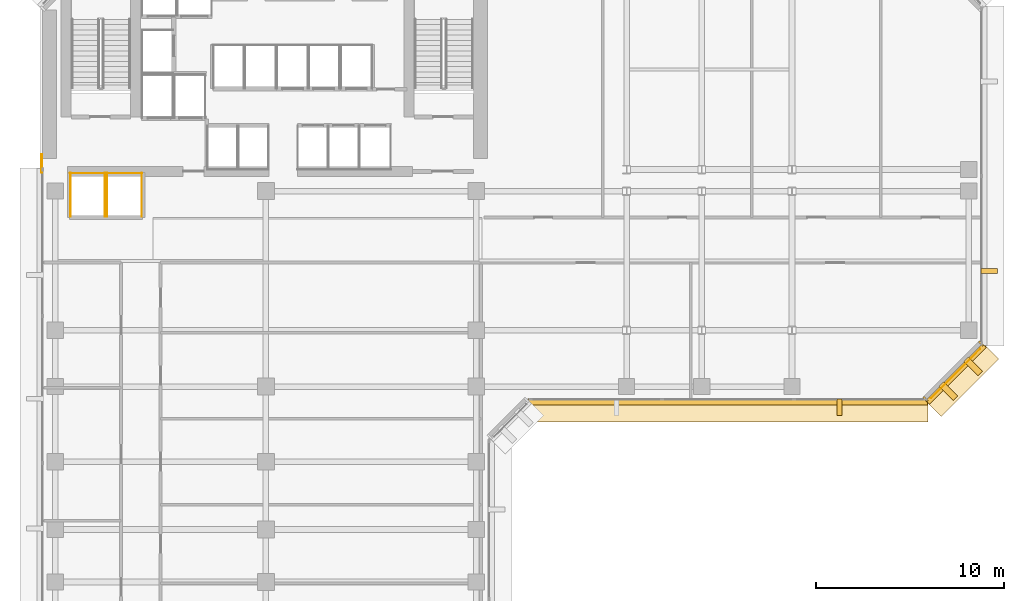
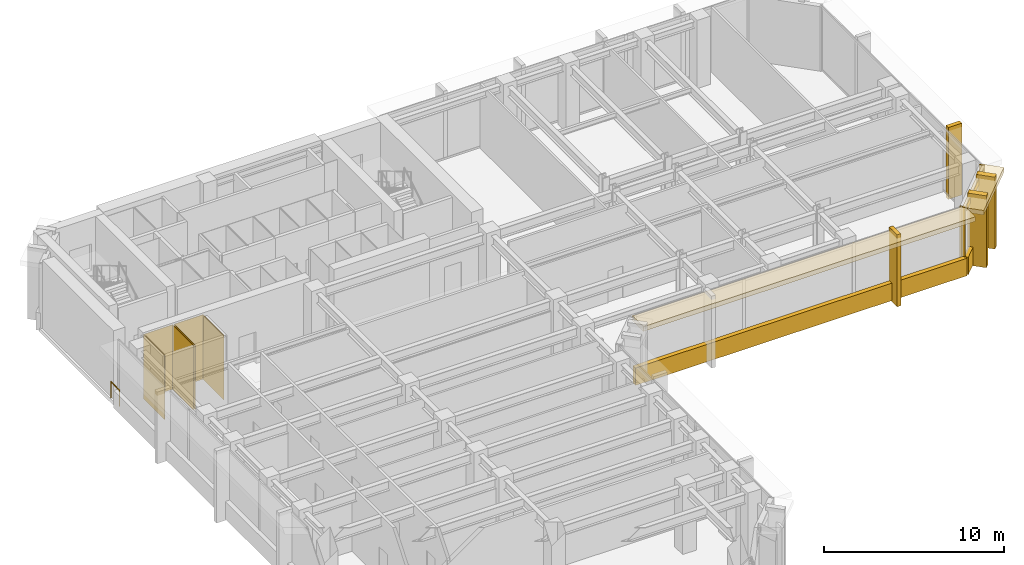
# One storey, part 10 of 13: 17 coverings, 1 railing.
"""IFC4 building model written with IfcOpenShell, lengths in metres."""

from ifc_helpers import new_model, si_unit, direction, frame, origin, origin_2d, place, context, subcontext, project, spatial, polyline, rectangle, circle, outline, extrude, material, layer, layer_set, type_object, element, save


model = new_model("IFC4")

# Units and contexts
model_context = context("Model", 3, precision=1e-05, world=origin(), true_north=direction((0.0, 1.0)))
body_context = subcontext(model_context, "Body", "Model", "MODEL_VIEW")
ifc_project = project(units=[si_unit("LENGTHUNIT", "METRE"), si_unit("AREAUNIT", "SQUARE_METRE"), si_unit("VOLUMEUNIT", "CUBIC_METRE"), si_unit("PLANEANGLEUNIT", "RADIAN"), si_unit("MASSUNIT", "GRAM", prefix="KILO")], contexts=[model_context])

# Site, building, storey
site_placement = place(None, origin())
site = spatial("IfcSite", under=ifc_project, at=site_placement, CompositionType="ELEMENT")
building_placement = place(site_placement, origin())
building = spatial("IfcBuilding", under=site, at=building_placement, Name="Kefirva Bronze Tower", CompositionType="ELEMENT")
storey_placement = place(building_placement, frame((0.0, 0.0, 130.35009765625)))
storey = spatial("IfcBuildingStorey", under=building, at=storey_placement, Name="L31", CompositionType="ELEMENT", Elevation=130.35009765625)

# Coverings
ifc_material_1 = material(Name="Bronze anodised aluminium", Category="aluminium")
ifc_layer_1 = layer(ifc_material_1, 0.02001953125, Name="Bronze anodised aluminium")
ifc_layer_set_1 = layer_set([ifc_layer_1], Name="Bronze anodised aluminium")
covering_type_1 = type_object("IfcCoveringType", Name="Anodised Bronze Spandrel Cladding 20mm", PredefinedType="CLADDING", material=ifc_layer_set_1)
covering_1_placement = place(storey_placement, frame((36.60009765625, 21.9599609375, -0.16015625), z_axis=(0.0, 0.0, 1.0), x_axis=(1.0, 0.0, 0.0)))
element("IfcCovering", 1, at=covering_1_placement, inside=storey, type_object=covering_type_1, Name="L31 Streamline Horizontal Spandrel Band 8", PredefinedType="CLADDING", context=body_context, shape_type="SweptSolid", body=[
    extrude(rectangle(XDim=21.239990234375, YDim=0.280029296875, at=origin_2d()), origin(), (0.0, 0.0, 1.0), 1.179931640625),
])
covering_2_placement = place(storey_placement, frame((48.70703125, 23.492919921875, 3.949951171875), z_axis=(0.0, 0.0, 1.0), x_axis=(0.707106781187, 0.707106781187, 0.0)))
element("IfcCovering", 2, at=covering_2_placement, inside=storey, type_object=covering_type_1, Name="L31 Bronze Spandrel Cladding 6", PredefinedType="CLADDING", context=body_context, shape_type="SweptSolid", body=[
    extrude(rectangle(XDim=3.719482421875, YDim=0.02001953125, at=origin_2d()), origin(), (0.0, 0.0, 1.0), 0.39990234375),
])
for number, where, z_axis, x_axis, name in (
    (3, (47.11181640625, 22.137939453125, -0.000244140625), (0.0, 0.0, 1.0), (0.707106781187, 0.707106781187, 0.0), "L31 Facade Joint Closure Panel 6S"),
    (4, (50.06201171875, 25.08837890625, -0.000244140625), (0.0, 0.0, 1.0), (0.707106781187, 0.707106781187, 0.0), "L31 Facade Joint Closure Panel 6E"),
):
    element("IfcCovering", number, at=place(storey_placement, frame(where, z_axis=z_axis, x_axis=x_axis)), inside=storey, type_object=covering_type_1, Name=name, PredefinedType="CLADDING", context=body_context, shape_type="SweptSolid", body=[
        extrude(rectangle(XDim=0.10009765625, YDim=0.320068359375, at=origin_2d()), origin(), (0.0, 0.0, 1.0), 4.3701171875),
    ])
covering_3_placement = place(storey_placement, frame((48.728271484375, 23.4716796875, -0.16015625), z_axis=(0.0, 0.0, 1.0), x_axis=(0.707106781187, 0.707106781187, 0.0)))
element("IfcCovering", 5, at=covering_3_placement, inside=storey, type_object=covering_type_1, Name="L31 Streamline Horizontal Spandrel Band 9", PredefinedType="CLADDING", context=body_context, shape_type="SweptSolid", body=[
    extrude(rectangle(XDim=4.28271484375, YDim=0.280029296875, at=origin_2d()), origin(), (0.0, 0.0, 1.0), 1.179931640625),
])
covering_4_placement = place(storey_placement, origin())
element("IfcCovering", 6, at=covering_4_placement, inside=storey, type_object=covering_type_1, Name="L31 Lift OB1 Hoistway Liner N", PredefinedType="CLADDING", context=body_context, shape_type="SweptSolid", body=[
    extrude(outline(polyline([(1.580078125, 34.139892578125), (3.469970703125, 34.139892578125), (3.469970703125, 34.159912109375), (1.580078125, 34.159912109375), (1.580078125, 34.139892578125)])), origin(), (0.0, 0.0, 1.0), 4.369873046875),
])
covering_5_placement = place(storey_placement, origin())
element("IfcCovering", 7, at=covering_5_placement, inside=storey, type_object=covering_type_1, Name="L31 Lift OB1 Hoistway Liner W", PredefinedType="CLADDING", context=body_context, shape_type="SweptSolid", body=[
    extrude(outline(polyline([(1.590087890625, 31.830078125), (1.610107421875, 31.830078125), (1.610107421875, 34.169921875), (1.590087890625, 34.169921875), (1.590087890625, 31.830078125)])), origin(), (0.0, 0.0, 1.0), 4.369873046875),
])
covering_6_placement = place(storey_placement, origin())
element("IfcCovering", 8, at=covering_6_placement, inside=storey, type_object=covering_type_1, Name="L31 Lift OB1 Hoistway Liner E", PredefinedType="CLADDING", context=body_context, shape_type="SweptSolid", body=[
    extrude(outline(polyline([(3.43994140625, 31.830078125), (3.4599609375, 31.830078125), (3.4599609375, 34.169921875), (3.43994140625, 34.169921875), (3.43994140625, 31.830078125)])), origin(), (0.0, 0.0, 1.0), 4.369873046875),
])
covering_7_placement = place(storey_placement, origin())
element("IfcCovering", 9, at=covering_7_placement, inside=storey, type_object=covering_type_1, Name="L31 Lift OB2 Hoistway Liner N", PredefinedType="CLADDING", context=body_context, shape_type="SweptSolid", body=[
    extrude(outline(polyline([(3.530029296875, 34.139892578125), (5.419921875, 34.139892578125), (5.419921875, 34.159912109375), (3.530029296875, 34.159912109375), (3.530029296875, 34.139892578125)])), origin(), (0.0, 0.0, 1.0), 4.369873046875),
])
covering_8_placement = place(storey_placement, origin())
element("IfcCovering", 10, at=covering_8_placement, inside=storey, type_object=covering_type_1, Name="L31 Lift OB2 Hoistway Liner W", PredefinedType="CLADDING", context=body_context, shape_type="SweptSolid", body=[
    extrude(outline(polyline([(3.5400390625, 31.830078125), (3.56005859375, 31.830078125), (3.56005859375, 34.169921875), (3.5400390625, 34.169921875), (3.5400390625, 31.830078125)])), origin(), (0.0, 0.0, 1.0), 4.369873046875),
])
covering_9_placement = place(storey_placement, origin())
element("IfcCovering", 11, at=covering_9_placement, inside=storey, type_object=covering_type_1, Name="L31 Lift OB2 Hoistway Liner E", PredefinedType="CLADDING", context=body_context, shape_type="SweptSolid", body=[
    extrude(outline(polyline([(5.389892578125, 31.830078125), (5.409912109375, 31.830078125), (5.409912109375, 34.169921875), (5.389892578125, 34.169921875), (5.389892578125, 31.830078125)])), origin(), (0.0, 0.0, 1.0), 4.369873046875),
])

# Railing
ifc_material_2 = material(Name="Stainless steel 316", Category="steel")
railing_type = type_object("IfcRailingType", Name="Interior Stair Guardrail 1100mm", PredefinedType="GUARDRAIL", material=ifc_material_2)
railing_placement = place(storey_placement, frame((0.080078125, 34.199951171875, 0.0)))
element("IfcRailing", 12, at=railing_placement, inside=storey, type_object=railing_type, Name="L31 West Core Junction Guardrail", PredefinedType="GUARDRAIL", context=body_context, shape_type="SweptSolid", body=[
    extrude(circle(Radius=0.02392578125, at=origin_2d()), frame((0.0, 0.0, 1.076171875), z_axis=(0.0, 1.0, 0.0), x_axis=(-1.0, 0.0, 0.0)), (0.0, 0.0, 1.0), 0.949951171875),
    extrude(circle(Radius=0.02099609375, at=origin_2d()), origin(), (0.0, 0.0, 1.0), 1.052001953125),
    extrude(circle(Radius=0.02099609375, at=origin_2d()), frame((0.0, 0.949951171875, 0.0)), (0.0, 0.0, 1.0), 1.052001953125),
])

# Coverings
ifc_layer_2 = layer(ifc_material_1, 0.179931640625, Name="Bronze anodised aluminium")
ifc_layer_set_2 = layer_set([ifc_layer_2], Name="Bronze anodised aluminium")
covering_type_2 = type_object("IfcCoveringType", Name="Streamline Bronze Sunshade Eyebrow Cladding 180mm", PredefinedType="CLADDING", material=ifc_layer_set_2)
covering_10_placement = place(storey_placement, frame((36.60009765625, 21.5400390625, 4.0498046875), z_axis=(0.0, 0.0, 1.0), x_axis=(1.0, 0.0, 0.0)))
element("IfcCovering", 13, at=covering_10_placement, inside=storey, type_object=covering_type_2, Name="L31 Streamline Bronze Sunshade Eyebrow 8", PredefinedType="CLADDING", context=body_context, shape_type="SweptSolid", body=[
    extrude(rectangle(XDim=21.280029296875, YDim=1.239990234375, at=origin_2d()), origin(), (0.0, 0.0, 1.0), 0.320068359375),
])
covering_11_placement = place(storey_placement, frame((49.025390625, 23.1748046875, 4.0498046875), z_axis=(0.0, 0.0, 1.0), x_axis=(0.707106781187, 0.707106781187, 0.0)))
element("IfcCovering", 14, at=covering_11_placement, inside=storey, type_object=covering_type_2, Name="L31 Streamline Bronze Sunshade Eyebrow 9", PredefinedType="CLADDING", context=body_context, shape_type="SweptSolid", body=[
    extrude(rectangle(XDim=4.322509765625, YDim=1.239990234375, at=origin_2d()), origin(), (0.0, 0.0, 1.0), 0.320068359375),
])
ifc_layer_3 = layer(ifc_material_1, 0.260009765625, Name="Bronze anodised aluminium")
ifc_layer_set_3 = layer_set([ifc_layer_3], Name="Bronze anodised aluminium")
covering_type_3 = type_object("IfcCoveringType", Name="Unbroken Bronze Buttress Fin Cladding 260mm", PredefinedType="CLADDING", material=ifc_layer_set_3)
covering_12_placement = place(storey_placement, frame((42.535888671875, 21.699951171875, -0.250244140625), z_axis=(0.0, 0.0, 1.0), x_axis=(1.0, 0.0, 0.0)))
element("IfcCovering", 15, at=covering_12_placement, inside=storey, type_object=covering_type_3, Name="L31 Unbroken Vertical Bronze Rib Fin 10", PredefinedType="CLADDING", context=body_context, shape_type="SweptSolid", body=[
    extrude(rectangle(XDim=0.260009765625, YDim=0.8798828125, at=origin_2d()), origin(), (0.0, 0.0, 1.0), 4.8701171875),
])
for number, where, z_axis, x_axis, name in (
    (16, (48.32275390625, 22.55712890625, -0.250244140625), (0.0, 0.0, 1.0), (0.707106781187, 0.707106781187, 0.0), "L31 Chamfered Corner Buttress Fin Cladding 11"),
    (17, (49.642822265625, 23.877197265625, -0.250244140625), (0.0, 0.0, 1.0), (0.707106781187, 0.707106781187, 0.0), "L31 Chamfered Corner Buttress Fin Cladding 12"),
):
    element("IfcCovering", number, at=place(storey_placement, frame(where, z_axis=z_axis, x_axis=x_axis)), inside=storey, type_object=covering_type_3, Name=name, PredefinedType="CLADDING", context=body_context, shape_type="SweptSolid", body=[
        extrude(rectangle(XDim=0.340087890625, YDim=1.080078125, at=origin_2d()), origin(), (0.0, 0.0, 1.0), 4.8701171875),
    ])
covering_13_placement = place(storey_placement, frame((50.5, 28.9599609375, -0.250244140625), z_axis=(0.0, 0.0, 1.0), x_axis=(0.0, 1.0, 0.0)))
element("IfcCovering", 18, at=covering_13_placement, inside=storey, type_object=covering_type_3, Name="L31 Unbroken Vertical Bronze Rib Fin 13", PredefinedType="CLADDING", context=body_context, shape_type="SweptSolid", body=[
    extrude(rectangle(XDim=0.260009765625, YDim=0.8798828125, at=origin_2d()), origin(), (0.0, 0.0, 1.0), 4.8701171875),
])

save(model, "model.ifc")
